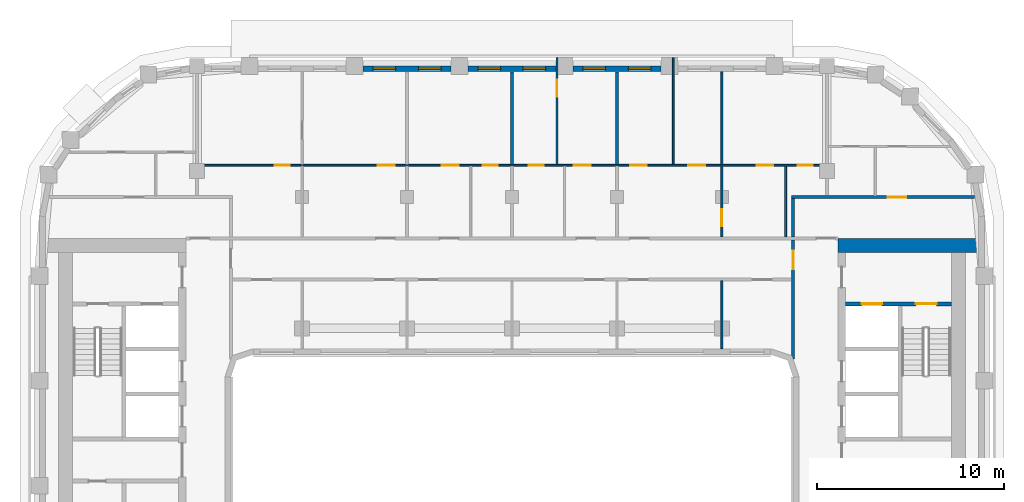
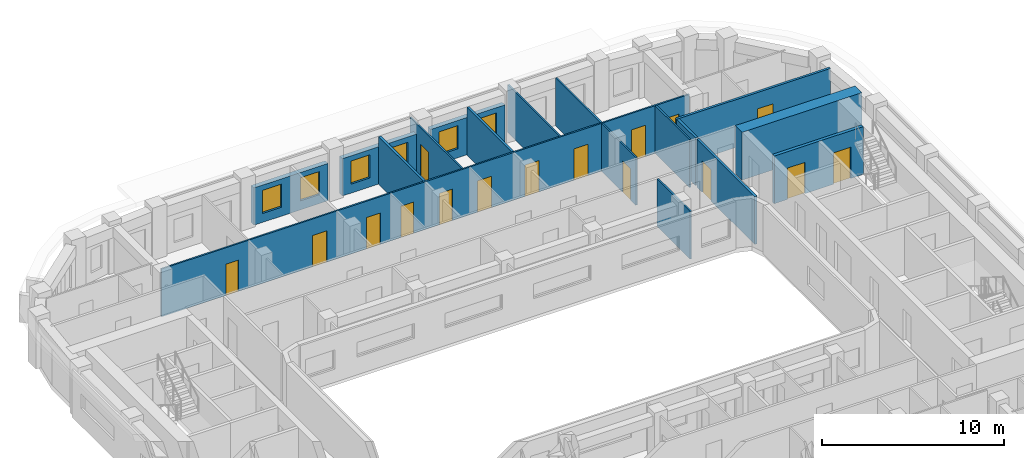
# One storey, part 8 of 21: 17 walls, 16 doors, 6 windows, 22 openings.
"""IFC4 building model written with IfcOpenShell, lengths in metres."""

from ifc_helpers import new_model, si_unit, direction, frame, frame_2d, origin, place, context, subcontext, project, spatial, rectangle, extrude, material, layer, layer_set, type_object, element, fill, save


model = new_model("IFC4")

# Units and contexts
model_context = context("Model", 3, precision=1e-05, world=origin(), true_north=direction((0.0, 1.0)))
body_context = subcontext(model_context, "Body", "Model", "MODEL_VIEW")
ifc_project = project(units=[si_unit("LENGTHUNIT", "METRE"), si_unit("AREAUNIT", "SQUARE_METRE"), si_unit("VOLUMEUNIT", "CUBIC_METRE"), si_unit("PLANEANGLEUNIT", "RADIAN"), si_unit("MASSUNIT", "GRAM", prefix="KILO")], contexts=[model_context])

# Site, building, storey
site_placement = place(None, origin())
site = spatial("IfcSite", under=ifc_project, at=site_placement, CompositionType="ELEMENT")
building_placement = place(site_placement, origin())
building = spatial("IfcBuilding", under=site, at=building_placement, Name="Kiln Ring Residences", CompositionType="ELEMENT")
storey_placement = place(building_placement, frame((0.0, 0.0, 192.39990234375)))
storey = spatial("IfcBuildingStorey", under=building, at=storey_placement, Name="L49", CompositionType="ELEMENT", Elevation=192.39990234375)

# Wall, openings, doors
ifc_material_1 = material(Name="Concrete C40/50", Category="concrete")
ifc_layer_1 = layer(ifc_material_1, 0.199951171875)
ifc_layer_set_1 = layer_set([ifc_layer_1], Name="CORE-WALL-RC200")
wall_type_1 = type_object("IfcWallType", Name="CORE-WALL-RC200", PredefinedType="SHEAR", material=ifc_layer_set_1)
wall_1_placement = place(storey_placement, frame((17.800048828125, 9.699951171875, 0.0), z_axis=(0.0, 0.0, 1.0), x_axis=(1.0, 0.0, 0.0)))
wall_1 = element("IfcWall", 1, at=wall_1_placement, inside=storey, type_object=wall_type_1, Name="Core wall east L49 9", PredefinedType="SHEAR", context=body_context, shape_type="SweptSolid", body=[
    extrude(rectangle(XDim=5.64990234375, YDim=0.199951171875, at=frame_2d((2.824951171875, 0.0))), origin(), (0.0, 0.0, 1.0), 3.2001953125),
])
opening_1_placement = place(wall_1_placement, frame((0.85009765625, 0.0, 0.0)))
opening_1 = element("IfcOpeningElement", 2, at=opening_1_placement, cuts=wall_1, Name="Opening L49-CE06", PredefinedType="OPENING", context=body_context, shape_type="SweptSolid", body=[
    extrude(rectangle(XDim=1.10009765625, YDim=2.10009765625, at=frame_2d((0.550048828125, 1.050048828125))), frame((0.0, 0.10986328125, 0.0), z_axis=(0.0, -1.0, 0.0), x_axis=(1.0, 0.0, 0.0)), (0.0, 0.0, 1.0), 0.219970703125),
])
opening_2_placement = place(wall_1_placement, frame((3.75, 0.0, 0.0)))
opening_2 = element("IfcOpeningElement", 3, at=opening_2_placement, cuts=wall_1, Name="Opening L49-CE09", PredefinedType="OPENING", context=body_context, shape_type="SweptSolid", body=[
    extrude(rectangle(XDim=1.10009765625, YDim=2.10009765625, at=frame_2d((0.550048828125, 1.050048828125))), frame((0.0, 0.10986328125, 0.0), z_axis=(0.0, -1.0, 0.0), x_axis=(1.0, 0.0, 0.0)), (0.0, 0.0, 1.0), 0.219970703125),
])
ifc_material_2 = material(Name="Steel door leaf", Category="steel")
door_type_1 = type_object("IfcDoorType", Name="CORE-DOOR-LD", OperationType="DOUBLE_DOOR_SLIDING", PredefinedType="DOOR", material=ifc_material_2)
door_1_placement = place(opening_1_placement, origin())
door_1 = element("IfcDoor", 4, at=door_1_placement, inside=storey, type_object=door_type_1, Name="LD E-FF L49-CE06", OperationType="DOUBLE_DOOR_SLIDING", OverallHeight=2.10009765625, OverallWidth=1.10009765625, PredefinedType="DOOR", context=body_context, shape_type="SweptSolid", body=[
    extrude(rectangle(XDim=1.10009765625, YDim=2.10009765625, at=frame_2d((0.550048828125, 1.050048828125))), frame((0.0, 0.02490234375, 0.0), z_axis=(0.0, -1.0, 0.0), x_axis=(1.0, 0.0, 0.0)), (0.0, 0.0, 1.0), 0.050048828125),
])
fill(opening_1, door_1)
ifc_material_3 = material(Name="Steel door leaf", Category="steel")
door_type_2 = type_object("IfcDoorType", Name="CORE-DOOR-STAIR", OperationType="SINGLE_SWING_LEFT", PredefinedType="DOOR", material=ifc_material_3)
door_2_placement = place(opening_2_placement, origin())
door_2 = element("IfcDoor", 5, at=door_2_placement, inside=storey, type_object=door_type_2, Name="Stair E-STN L49-CE09", OperationType="SINGLE_SWING_RIGHT", OverallHeight=2.10009765625, OverallWidth=1.10009765625, PredefinedType="DOOR", context=body_context, shape_type="SweptSolid", body=[
    extrude(rectangle(XDim=1.10009765625, YDim=2.10009765625, at=frame_2d((0.550048828125, 1.050048828125))), frame((0.0, 0.02490234375, 0.0), z_axis=(0.0, -1.0, 0.0), x_axis=(1.0, 0.0, 0.0)), (0.0, 0.0, 1.0), 0.050048828125),
])
fill(opening_2, door_2)

# Wall
ifc_material_4 = material(Name="Concrete C60/75", Category="concrete")
ifc_layer_2 = layer(ifc_material_4, 0.75)
ifc_layer_set_2 = layer_set([ifc_layer_2], Name="CORE-WALL-RC750")
wall_type_2 = type_object("IfcWallType", Name="CORE-WALL-RC750", PredefinedType="SHEAR", material=ifc_layer_set_2)
wall_2_placement = place(storey_placement, frame((17.39990234375, 12.824951171875, 0.0), z_axis=(0.0, 0.0, 1.0), x_axis=(1.0, 0.0, 0.0)))
element("IfcWall", 6, at=wall_2_placement, inside=storey, type_object=wall_type_2, Name="Core wall east L49 4", PredefinedType="SHEAR", context=body_context, shape_type="SweptSolid", body=[
    extrude(rectangle(XDim=7.60009765625, YDim=0.75, at=frame_2d((3.800048828125, 0.0))), origin(), (0.0, 0.0, 1.0), 3.2001953125),
])

# Wall, openings, windows
ifc_material_5 = material(Name="Brick masonry, dark clay brick", Category="masonry")
ifc_layer_3 = layer(ifc_material_5, 0.300048828125)
ifc_layer_set_3 = layer_set([ifc_layer_3], Name="EW-300 BRICK WALL")
wall_type_3 = type_object("IfcWallType", Name="EW-300 BRICK WALL", PredefinedType="SOLIDWALL", material=ifc_layer_set_3)
wall_3_placement = place(storey_placement, frame((7.949951171875, 22.25, 0.0), z_axis=(0.0, 0.0, 1.0), x_axis=(-1.0, 0.0, 0.0)))
wall_3 = element("IfcWall", 7, at=wall_3_placement, inside=storey, type_object=wall_type_3, Name="Facade wall L49 29", PredefinedType="SOLIDWALL", context=body_context, shape_type="SweptSolid", body=[
    extrude(rectangle(XDim=4.699951171875, YDim=0.300048828125, at=frame_2d((2.35009765625, 0.0))), origin(), (0.0, 0.0, 1.0), 2.5),
])
opening_3_placement = place(wall_3_placement, frame((0.53759765625, 0.0, 0.60009765625)))
opening_3 = element("IfcOpeningElement", 8, at=opening_3_placement, cuts=wall_3, Name="Opening W1", PredefinedType="OPENING", context=body_context, shape_type="SweptSolid", body=[
    extrude(rectangle(XDim=1.199951171875, YDim=1.550048828125, at=frame_2d((0.60009765625, 0.77490234375))), frame((0.0, 0.159912109375, 0.0), z_axis=(0.0, -1.0, 0.0), x_axis=(1.0, 0.0, 0.0)), (0.0, 0.0, 1.0), 0.320068359375),
])
opening_4_placement = place(wall_3_placement, frame((2.96240234375, 0.0, 0.60009765625)))
opening_4 = element("IfcOpeningElement", 9, at=opening_4_placement, cuts=wall_3, Name="Opening W1", PredefinedType="OPENING", context=body_context, shape_type="SweptSolid", body=[
    extrude(rectangle(XDim=1.199951171875, YDim=1.550048828125, at=frame_2d((0.60009765625, 0.77490234375))), frame((0.0, 0.159912109375, 0.0), z_axis=(0.0, -1.0, 0.0), x_axis=(1.0, 0.0, 0.0)), (0.0, 0.0, 1.0), 0.320068359375),
])
ifc_material_6 = material(Name="Aluminium frame with double glazing", Category="aluminium")
window_type = type_object("IfcWindowType", Name="WINDOW 1200 x 1550", PartitioningType="SINGLE_PANEL", PredefinedType="WINDOW", material=ifc_material_6)
window_1_placement = place(opening_3_placement, origin())
window_1 = element("IfcWindow", 10, at=window_1_placement, inside=storey, type_object=window_type, Name="Window L49 23", OverallHeight=1.550048828125, OverallWidth=1.199951171875, PartitioningType="SINGLE_PANEL", PredefinedType="WINDOW", context=body_context, shape_type="SweptSolid", body=[
    extrude(rectangle(XDim=1.199951171875, YDim=1.550048828125, at=frame_2d((0.60009765625, 0.77490234375))), frame((0.0, 0.030029296875, 0.0), z_axis=(0.0, -1.0, 0.0), x_axis=(1.0, 0.0, 0.0)), (0.0, 0.0, 1.0), 0.06005859375),
])
fill(opening_3, window_1)
window_2_placement = place(opening_4_placement, origin())
window_2 = element("IfcWindow", 11, at=window_2_placement, inside=storey, type_object=window_type, Name="Window L49 24", OverallHeight=1.550048828125, OverallWidth=1.199951171875, PartitioningType="SINGLE_PANEL", PredefinedType="WINDOW", context=body_context, shape_type="SweptSolid", body=[
    extrude(rectangle(XDim=1.199951171875, YDim=1.550048828125, at=frame_2d((0.60009765625, 0.77490234375))), frame((0.0, 0.030029296875, 0.0), z_axis=(0.0, -1.0, 0.0), x_axis=(1.0, 0.0, 0.0)), (0.0, 0.0, 1.0), 0.06005859375),
])
fill(opening_4, window_2)

wall_4_placement = place(storey_placement, frame((2.35009765625, 22.25, 0.0), z_axis=(0.0, 0.0, 1.0), x_axis=(-1.0, 0.0, 0.0)))
wall_4 = element("IfcWall", 12, at=wall_4_placement, inside=storey, type_object=wall_type_3, Name="Facade wall L49 30", PredefinedType="SOLIDWALL", context=body_context, shape_type="SweptSolid", body=[
    extrude(rectangle(XDim=4.7001953125, YDim=0.300048828125, at=frame_2d((2.35009765625, 0.0))), origin(), (0.0, 0.0, 1.0), 2.5),
])
opening_5_placement = place(wall_4_placement, frame((0.550048828125, 0.0, 0.60009765625)))
opening_5 = element("IfcOpeningElement", 13, at=opening_5_placement, cuts=wall_4, Name="Opening W1", PredefinedType="OPENING", context=body_context, shape_type="SweptSolid", body=[
    extrude(rectangle(XDim=1.199951171875, YDim=1.550048828125, at=frame_2d((0.60009765625, 0.77490234375))), frame((0.0, 0.159912109375, 0.0), z_axis=(0.0, -1.0, 0.0), x_axis=(1.0, 0.0, 0.0)), (0.0, 0.0, 1.0), 0.320068359375),
])
opening_6_placement = place(wall_4_placement, frame((2.96240234375, 0.0, 0.60009765625)))
opening_6 = element("IfcOpeningElement", 14, at=opening_6_placement, cuts=wall_4, Name="Opening W1", PredefinedType="OPENING", context=body_context, shape_type="SweptSolid", body=[
    extrude(rectangle(XDim=1.199951171875, YDim=1.550048828125, at=frame_2d((0.60009765625, 0.77490234375))), frame((0.0, 0.159912109375, 0.0), z_axis=(0.0, -1.0, 0.0), x_axis=(1.0, 0.0, 0.0)), (0.0, 0.0, 1.0), 0.320068359375),
])
window_3_placement = place(opening_5_placement, origin())
window_3 = element("IfcWindow", 15, at=window_3_placement, inside=storey, type_object=window_type, Name="Window L49 25", OverallHeight=1.550048828125, OverallWidth=1.199951171875, PartitioningType="SINGLE_PANEL", PredefinedType="WINDOW", context=body_context, shape_type="SweptSolid", body=[
    extrude(rectangle(XDim=1.199951171875, YDim=1.550048828125, at=frame_2d((0.60009765625, 0.77490234375))), frame((0.0, 0.030029296875, 0.0), z_axis=(0.0, -1.0, 0.0), x_axis=(1.0, 0.0, 0.0)), (0.0, 0.0, 1.0), 0.06005859375),
])
fill(opening_5, window_3)
window_4_placement = place(opening_6_placement, origin())
window_4 = element("IfcWindow", 16, at=window_4_placement, inside=storey, type_object=window_type, Name="Window L49 26", OverallHeight=1.550048828125, OverallWidth=1.199951171875, PartitioningType="SINGLE_PANEL", PredefinedType="WINDOW", context=body_context, shape_type="SweptSolid", body=[
    extrude(rectangle(XDim=1.199951171875, YDim=1.550048828125, at=frame_2d((0.60009765625, 0.77490234375))), frame((0.0, 0.030029296875, 0.0), z_axis=(0.0, -1.0, 0.0), x_axis=(1.0, 0.0, 0.0)), (0.0, 0.0, 1.0), 0.06005859375),
])
fill(opening_6, window_4)

wall_5_placement = place(storey_placement, frame((-3.25, 22.25, 0.0), z_axis=(0.0, 0.0, 1.0), x_axis=(-1.0, 0.0, 0.0)))
wall_5 = element("IfcWall", 17, at=wall_5_placement, inside=storey, type_object=wall_type_3, Name="Facade wall L49 31", PredefinedType="SOLIDWALL", context=body_context, shape_type="SweptSolid", body=[
    extrude(rectangle(XDim=4.699951171875, YDim=0.300048828125, at=frame_2d((2.35009765625, 0.0))), origin(), (0.0, 0.0, 1.0), 2.5),
])
opening_7_placement = place(wall_5_placement, frame((0.53759765625, 0.0, 0.60009765625)))
opening_7 = element("IfcOpeningElement", 18, at=opening_7_placement, cuts=wall_5, Name="Opening W1", PredefinedType="OPENING", context=body_context, shape_type="SweptSolid", body=[
    extrude(rectangle(XDim=1.199951171875, YDim=1.550048828125, at=frame_2d((0.60009765625, 0.77490234375))), frame((0.0, 0.159912109375, 0.0), z_axis=(0.0, -1.0, 0.0), x_axis=(1.0, 0.0, 0.0)), (0.0, 0.0, 1.0), 0.320068359375),
])
opening_8_placement = place(wall_5_placement, frame((2.96240234375, 0.0, 0.60009765625)))
opening_8 = element("IfcOpeningElement", 19, at=opening_8_placement, cuts=wall_5, Name="Opening W1", PredefinedType="OPENING", context=body_context, shape_type="SweptSolid", body=[
    extrude(rectangle(XDim=1.199951171875, YDim=1.550048828125, at=frame_2d((0.60009765625, 0.77490234375))), frame((0.0, 0.159912109375, 0.0), z_axis=(0.0, -1.0, 0.0), x_axis=(1.0, 0.0, 0.0)), (0.0, 0.0, 1.0), 0.320068359375),
])
window_5_placement = place(opening_7_placement, origin())
window_5 = element("IfcWindow", 20, at=window_5_placement, inside=storey, type_object=window_type, Name="Window L49 27", OverallHeight=1.550048828125, OverallWidth=1.199951171875, PartitioningType="SINGLE_PANEL", PredefinedType="WINDOW", context=body_context, shape_type="SweptSolid", body=[
    extrude(rectangle(XDim=1.199951171875, YDim=1.550048828125, at=frame_2d((0.60009765625, 0.77490234375))), frame((0.0, 0.030029296875, 0.0), z_axis=(0.0, -1.0, 0.0), x_axis=(1.0, 0.0, 0.0)), (0.0, 0.0, 1.0), 0.06005859375),
])
fill(opening_7, window_5)
window_6_placement = place(opening_8_placement, origin())
window_6 = element("IfcWindow", 21, at=window_6_placement, inside=storey, type_object=window_type, Name="Window L49 28", OverallHeight=1.550048828125, OverallWidth=1.199951171875, PartitioningType="SINGLE_PANEL", PredefinedType="WINDOW", context=body_context, shape_type="SweptSolid", body=[
    extrude(rectangle(XDim=1.199951171875, YDim=1.550048828125, at=frame_2d((0.60009765625, 0.77490234375))), frame((0.0, 0.030029296875, 0.0), z_axis=(0.0, -1.0, 0.0), x_axis=(1.0, 0.0, 0.0)), (0.0, 0.0, 1.0), 0.06005859375),
])
fill(opening_8, window_6)

# Wall, openings, doors
ifc_material_7 = material(Name="Gypsum board on steel studs", Category="steel")
ifc_layer_4 = layer(ifc_material_7, 0.10009765625)
ifc_layer_set_4 = layer_set([ifc_layer_4], Name="PARTITION-100")
wall_type_4 = type_object("IfcWallType", Name="PARTITION-100", PredefinedType="PARTITIONING", material=ifc_layer_set_4)
wall_6_placement = place(storey_placement, frame((-16.72509765625, 17.10009765625, 0.0), z_axis=(0.0, 0.0, 1.0), x_axis=(1.0, 0.0, 0.0)))
wall_6 = element("IfcWall", 22, at=wall_6_placement, inside=storey, type_object=wall_type_4, Name="Partition 011", PredefinedType="PARTITIONING", context=body_context, shape_type="SweptSolid", body=[
    extrude(rectangle(XDim=33.4501953125, YDim=0.10009765625, at=frame_2d((16.72509765625, 0.0))), origin(), (0.0, 0.0, 1.0), 3.2001953125),
])
opening_9_placement = place(wall_6_placement, frame((4.074951171875, 0.0, 0.0)))
opening_9 = element("IfcOpeningElement", 23, at=opening_9_placement, cuts=wall_6, Name="Opening L49-D016", PredefinedType="OPENING", context=body_context, shape_type="SweptSolid", body=[
    extrude(rectangle(XDim=0.800048828125, YDim=2.10009765625, at=frame_2d((0.39990234375, 1.050048828125))), frame((0.0, 0.06005859375, 0.0), z_axis=(0.0, -1.0, 0.0), x_axis=(1.0, 0.0, 0.0)), (0.0, 0.0, 1.0), 0.1201171875),
])
opening_10_placement = place(wall_6_placement, frame((9.574951171875, 0.0, 0.0)))
opening_10 = element("IfcOpeningElement", 24, at=opening_10_placement, cuts=wall_6, Name="Opening L49-D017", PredefinedType="OPENING", context=body_context, shape_type="SweptSolid", body=[
    extrude(rectangle(XDim=0.89990234375, YDim=2.10009765625, at=frame_2d((0.449951171875, 1.050048828125))), frame((0.0, 0.06005859375, 0.0), z_axis=(0.0, -1.0, 0.0), x_axis=(1.0, 0.0, 0.0)), (0.0, 0.0, 1.0), 0.1201171875),
])
opening_11_placement = place(wall_6_placement, frame((15.175048828125, 0.0, 0.0)))
opening_11 = element("IfcOpeningElement", 25, at=opening_11_placement, cuts=wall_6, Name="Opening L49-D020", PredefinedType="OPENING", context=body_context, shape_type="SweptSolid", body=[
    extrude(rectangle(XDim=0.800048828125, YDim=2.10009765625, at=frame_2d((0.39990234375, 1.050048828125))), frame((0.0, 0.06005859375, 0.0), z_axis=(0.0, -1.0, 0.0), x_axis=(1.0, 0.0, 0.0)), (0.0, 0.0, 1.0), 0.1201171875),
])
opening_12_placement = place(wall_6_placement, frame((12.97509765625, 0.0, 0.0)))
opening_12 = element("IfcOpeningElement", 26, at=opening_12_placement, cuts=wall_6, Name="Opening L49-D021", PredefinedType="OPENING", context=body_context, shape_type="SweptSolid", body=[
    extrude(rectangle(XDim=0.89990234375, YDim=2.10009765625, at=frame_2d((0.449951171875, 1.050048828125))), frame((0.0, 0.06005859375, 0.0), z_axis=(0.0, -1.0, 0.0), x_axis=(1.0, 0.0, 0.0)), (0.0, 0.0, 1.0), 0.1201171875),
])
opening_13_placement = place(wall_6_placement, frame((17.625, 0.0, 0.0)))
opening_13 = element("IfcOpeningElement", 27, at=opening_13_placement, cuts=wall_6, Name="Opening L49-D023", PredefinedType="OPENING", context=body_context, shape_type="SweptSolid", body=[
    extrude(rectangle(XDim=0.800048828125, YDim=2.10009765625, at=frame_2d((0.39990234375, 1.050048828125))), frame((0.0, 0.06005859375, 0.0), z_axis=(0.0, -1.0, 0.0), x_axis=(1.0, 0.0, 0.0)), (0.0, 0.0, 1.0), 0.1201171875),
])
opening_14_placement = place(wall_6_placement, frame((20.02490234375, 0.0, 0.0)))
opening_14 = element("IfcOpeningElement", 28, at=opening_14_placement, cuts=wall_6, Name="Opening L49-D024", PredefinedType="OPENING", context=body_context, shape_type="SweptSolid", body=[
    extrude(rectangle(XDim=0.89990234375, YDim=2.10009765625, at=frame_2d((0.449951171875, 1.050048828125))), frame((0.0, 0.06005859375, 0.0), z_axis=(0.0, -1.0, 0.0), x_axis=(1.0, 0.0, 0.0)), (0.0, 0.0, 1.0), 0.1201171875),
])
opening_15_placement = place(wall_6_placement, frame((31.97509765625, 0.0, 0.0)))
opening_15 = element("IfcOpeningElement", 29, at=opening_15_placement, cuts=wall_6, Name="Opening L49-D028", PredefinedType="OPENING", context=body_context, shape_type="SweptSolid", body=[
    extrude(rectangle(XDim=0.800048828125, YDim=2.10009765625, at=frame_2d((0.39990234375, 1.050048828125))), frame((0.0, 0.06005859375, 0.0), z_axis=(0.0, -1.0, 0.0), x_axis=(1.0, 0.0, 0.0)), (0.0, 0.0, 1.0), 0.1201171875),
])
opening_16_placement = place(wall_6_placement, frame((29.77490234375, 0.0, 0.0)))
opening_16 = element("IfcOpeningElement", 30, at=opening_16_placement, cuts=wall_6, Name="Opening L49-D029", PredefinedType="OPENING", context=body_context, shape_type="SweptSolid", body=[
    extrude(rectangle(XDim=0.89990234375, YDim=2.10009765625, at=frame_2d((0.449951171875, 1.050048828125))), frame((0.0, 0.06005859375, 0.0), z_axis=(0.0, -1.0, 0.0), x_axis=(1.0, 0.0, 0.0)), (0.0, 0.0, 1.0), 0.1201171875),
])
opening_17_placement = place(wall_6_placement, frame((23.02490234375, 0.0, 0.0)))
opening_17 = element("IfcOpeningElement", 31, at=opening_17_placement, cuts=wall_6, Name="Opening L49-D030", PredefinedType="OPENING", context=body_context, shape_type="SweptSolid", body=[
    extrude(rectangle(XDim=0.89990234375, YDim=2.10009765625, at=frame_2d((0.449951171875, 1.050048828125))), frame((0.0, 0.06005859375, 0.0), z_axis=(0.0, -1.0, 0.0), x_axis=(1.0, 0.0, 0.0)), (0.0, 0.0, 1.0), 0.1201171875),
])
opening_18_placement = place(wall_6_placement, frame((26.125, 0.0, 0.0)))
opening_18 = element("IfcOpeningElement", 32, at=opening_18_placement, cuts=wall_6, Name="Opening L49-D031", PredefinedType="OPENING", context=body_context, shape_type="SweptSolid", body=[
    extrude(rectangle(XDim=0.89990234375, YDim=2.10009765625, at=frame_2d((0.449951171875, 1.050048828125))), frame((0.0, 0.06005859375, 0.0), z_axis=(0.0, -1.0, 0.0), x_axis=(1.0, 0.0, 0.0)), (0.0, 0.0, 1.0), 0.1201171875),
])
ifc_material_8 = material(Name="Timber door leaf", Category="wood")
door_type_3 = type_object("IfcDoorType", Name="FLAT-DOOR-800-PL", OperationType="SINGLE_SWING_LEFT", PredefinedType="DOOR", material=ifc_material_8)
door_3_placement = place(opening_9_placement, origin())
door_3 = element("IfcDoor", 33, at=door_3_placement, inside=storey, type_object=door_type_3, Name="Door L49-D016", OperationType="SINGLE_SWING_RIGHT", OverallHeight=2.10009765625, OverallWidth=0.800048828125, PredefinedType="DOOR", context=body_context, shape_type="SweptSolid", body=[
    extrude(rectangle(XDim=0.800048828125, YDim=2.10009765625, at=frame_2d((0.39990234375, 1.050048828125))), frame((0.0, 0.02490234375, 0.0), z_axis=(0.0, -1.0, 0.0), x_axis=(1.0, 0.0, 0.0)), (0.0, 0.0, 1.0), 0.050048828125),
])
fill(opening_9, door_3)
door_4_placement = place(opening_11_placement, origin())
door_4 = element("IfcDoor", 34, at=door_4_placement, inside=storey, type_object=door_type_3, Name="Door L49-D020", OperationType="SINGLE_SWING_RIGHT", OverallHeight=2.10009765625, OverallWidth=0.800048828125, PredefinedType="DOOR", context=body_context, shape_type="SweptSolid", body=[
    extrude(rectangle(XDim=0.800048828125, YDim=2.10009765625, at=frame_2d((0.39990234375, 1.050048828125))), frame((0.0, 0.02490234375, 0.0), z_axis=(0.0, -1.0, 0.0), x_axis=(1.0, 0.0, 0.0)), (0.0, 0.0, 1.0), 0.050048828125),
])
fill(opening_11, door_4)
door_5_placement = place(opening_13_placement, origin())
door_5 = element("IfcDoor", 35, at=door_5_placement, inside=storey, type_object=door_type_3, Name="Door L49-D023", OperationType="SINGLE_SWING_LEFT", OverallHeight=2.10009765625, OverallWidth=0.800048828125, PredefinedType="DOOR", context=body_context, shape_type="SweptSolid", body=[
    extrude(rectangle(XDim=0.800048828125, YDim=2.10009765625, at=frame_2d((0.39990234375, 1.050048828125))), frame((0.0, 0.02490234375, 0.0), z_axis=(0.0, -1.0, 0.0), x_axis=(1.0, 0.0, 0.0)), (0.0, 0.0, 1.0), 0.050048828125),
])
fill(opening_13, door_5)
door_6_placement = place(opening_15_placement, origin())
door_6 = element("IfcDoor", 36, at=door_6_placement, inside=storey, type_object=door_type_3, Name="Door L49-D028", OperationType="SINGLE_SWING_RIGHT", OverallHeight=2.10009765625, OverallWidth=0.800048828125, PredefinedType="DOOR", context=body_context, shape_type="SweptSolid", body=[
    extrude(rectangle(XDim=0.800048828125, YDim=2.10009765625, at=frame_2d((0.39990234375, 1.050048828125))), frame((0.0, 0.02490234375, 0.0), z_axis=(0.0, -1.0, 0.0), x_axis=(1.0, 0.0, 0.0)), (0.0, 0.0, 1.0), 0.050048828125),
])
fill(opening_15, door_6)
ifc_material_9 = material(Name="Timber door leaf", Category="wood")
door_type_4 = type_object("IfcDoorType", Name="FLAT-DOOR-900-PL", OperationType="SINGLE_SWING_LEFT", PredefinedType="DOOR", material=ifc_material_9)
door_7_placement = place(opening_10_placement, origin())
door_7 = element("IfcDoor", 37, at=door_7_placement, inside=storey, type_object=door_type_4, Name="Door L49-D017", OperationType="SINGLE_SWING_LEFT", OverallHeight=2.10009765625, OverallWidth=0.89990234375, PredefinedType="DOOR", context=body_context, shape_type="SweptSolid", body=[
    extrude(rectangle(XDim=0.89990234375, YDim=2.10009765625, at=frame_2d((0.449951171875, 1.050048828125))), frame((0.0, 0.02490234375, 0.0), z_axis=(0.0, -1.0, 0.0), x_axis=(1.0, 0.0, 0.0)), (0.0, 0.0, 1.0), 0.050048828125),
])
fill(opening_10, door_7)
door_8_placement = place(opening_12_placement, origin())
door_8 = element("IfcDoor", 38, at=door_8_placement, inside=storey, type_object=door_type_4, Name="Door L49-D021", OperationType="SINGLE_SWING_LEFT", OverallHeight=2.10009765625, OverallWidth=0.89990234375, PredefinedType="DOOR", context=body_context, shape_type="SweptSolid", body=[
    extrude(rectangle(XDim=0.89990234375, YDim=2.10009765625, at=frame_2d((0.449951171875, 1.050048828125))), frame((0.0, 0.02490234375, 0.0), z_axis=(0.0, -1.0, 0.0), x_axis=(1.0, 0.0, 0.0)), (0.0, 0.0, 1.0), 0.050048828125),
])
fill(opening_12, door_8)
door_9_placement = place(opening_14_placement, origin())
door_9 = element("IfcDoor", 39, at=door_9_placement, inside=storey, type_object=door_type_4, Name="Door L49-D024", OperationType="SINGLE_SWING_RIGHT", OverallHeight=2.10009765625, OverallWidth=0.89990234375, PredefinedType="DOOR", context=body_context, shape_type="SweptSolid", body=[
    extrude(rectangle(XDim=0.89990234375, YDim=2.10009765625, at=frame_2d((0.449951171875, 1.050048828125))), frame((0.0, 0.02490234375, 0.0), z_axis=(0.0, -1.0, 0.0), x_axis=(1.0, 0.0, 0.0)), (0.0, 0.0, 1.0), 0.050048828125),
])
fill(opening_14, door_9)
door_10_placement = place(opening_16_placement, origin())
door_10 = element("IfcDoor", 40, at=door_10_placement, inside=storey, type_object=door_type_4, Name="Door L49-D029", OperationType="SINGLE_SWING_LEFT", OverallHeight=2.10009765625, OverallWidth=0.89990234375, PredefinedType="DOOR", context=body_context, shape_type="SweptSolid", body=[
    extrude(rectangle(XDim=0.89990234375, YDim=2.10009765625, at=frame_2d((0.449951171875, 1.050048828125))), frame((0.0, 0.02490234375, 0.0), z_axis=(0.0, -1.0, 0.0), x_axis=(1.0, 0.0, 0.0)), (0.0, 0.0, 1.0), 0.050048828125),
])
fill(opening_16, door_10)
door_11_placement = place(opening_17_placement, origin())
door_11 = element("IfcDoor", 41, at=door_11_placement, inside=storey, type_object=door_type_4, Name="Door L49-D030", OperationType="SINGLE_SWING_RIGHT", OverallHeight=2.10009765625, OverallWidth=0.89990234375, PredefinedType="DOOR", context=body_context, shape_type="SweptSolid", body=[
    extrude(rectangle(XDim=0.89990234375, YDim=2.10009765625, at=frame_2d((0.449951171875, 1.050048828125))), frame((0.0, 0.02490234375, 0.0), z_axis=(0.0, -1.0, 0.0), x_axis=(1.0, 0.0, 0.0)), (0.0, 0.0, 1.0), 0.050048828125),
])
fill(opening_17, door_11)
door_12_placement = place(opening_18_placement, origin())
door_12 = element("IfcDoor", 42, at=door_12_placement, inside=storey, type_object=door_type_4, Name="Door L49-D031", OperationType="SINGLE_SWING_LEFT", OverallHeight=2.10009765625, OverallWidth=0.89990234375, PredefinedType="DOOR", context=body_context, shape_type="SweptSolid", body=[
    extrude(rectangle(XDim=0.89990234375, YDim=2.10009765625, at=frame_2d((0.449951171875, 1.050048828125))), frame((0.0, 0.02490234375, 0.0), z_axis=(0.0, -1.0, 0.0), x_axis=(1.0, 0.0, 0.0)), (0.0, 0.0, 1.0), 0.050048828125),
])
fill(opening_18, door_12)

# Wall, opening, door
wall_7_placement = place(storey_placement, frame((2.39990234375, 17.14990234375, 0.0), z_axis=(0.0, 0.0, 1.0), x_axis=(0.0, 1.0, 0.0)))
wall_7 = element("IfcWall", 43, at=wall_7_placement, inside=storey, type_object=wall_type_4, Name="Partition 044", PredefinedType="PARTITIONING", context=body_context, shape_type="SweptSolid", body=[
    extrude(rectangle(XDim=5.68017578125, YDim=0.10009765625, at=frame_2d((2.840087890625, 0.0))), origin(), (0.0, 0.0, 1.0), 3.2001953125),
])
opening_19_placement = place(wall_7_placement, frame((3.610107421875, 0.0, 0.0)))
opening_19 = element("IfcOpeningElement", 44, at=opening_19_placement, cuts=wall_7, Name="Opening L49-D025", PredefinedType="OPENING", context=body_context, shape_type="SweptSolid", body=[
    extrude(rectangle(XDim=0.89990234375, YDim=2.10009765625, at=frame_2d((0.449951171875, 1.050048828125))), frame((0.0, 0.06005859375, 0.0), z_axis=(0.0, -1.0, 0.0), x_axis=(1.0, 0.0, 0.0)), (0.0, 0.0, 1.0), 0.1201171875),
])
door_13_placement = place(opening_19_placement, origin())
door_13 = element("IfcDoor", 45, at=door_13_placement, inside=storey, type_object=door_type_4, Name="Door L49-D025", OperationType="SINGLE_SWING_LEFT", OverallHeight=2.10009765625, OverallWidth=0.89990234375, PredefinedType="DOOR", context=body_context, shape_type="SweptSolid", body=[
    extrude(rectangle(XDim=0.89990234375, YDim=2.10009765625, at=frame_2d((0.449951171875, 1.050048828125))), frame((0.0, 0.02490234375, 0.0), z_axis=(0.0, -1.0, 0.0), x_axis=(1.0, 0.0, 0.0)), (0.0, 0.0, 1.0), 0.050048828125),
])
fill(opening_19, door_13)

# Walls
wall_8_placement = place(storey_placement, frame((8.60009765625, 17.14990234375, 0.0), z_axis=(0.0, 0.0, 1.0), x_axis=(0.0, 1.0, 0.0)))
element("IfcWall", 46, at=wall_8_placement, inside=storey, type_object=wall_type_4, Name="Partition 054", PredefinedType="PARTITIONING", context=body_context, shape_type="SweptSolid", body=[
    extrude(rectangle(XDim=5.68017578125, YDim=0.10009765625, at=frame_2d((2.840087890625, 0.0))), origin(), (0.0, 0.0, 1.0), 3.2001953125),
])
wall_9_placement = place(storey_placement, frame((11.199951171875, 7.320068359375, 0.0), z_axis=(0.0, 0.0, 1.0), x_axis=(0.0, 1.0, 0.0)))
element("IfcWall", 47, at=wall_9_placement, inside=storey, type_object=wall_type_4, Name="Partition 056", PredefinedType="PARTITIONING", context=body_context, shape_type="SweptSolid", body=[
    extrude(rectangle(XDim=3.60498046875, YDim=0.10009765625, at=frame_2d((1.802490234375, 0.0))), origin(), (0.0, 0.0, 1.0), 3.2001953125),
])

# Wall, opening, door
wall_10_placement = place(storey_placement, frame((11.199951171875, 13.27490234375, 0.0), z_axis=(0.0, 0.0, 1.0), x_axis=(0.0, 1.0, 0.0)))
wall_10 = element("IfcWall", 48, at=wall_10_placement, inside=storey, type_object=wall_type_4, Name="Partition 057", PredefinedType="PARTITIONING", context=body_context, shape_type="SweptSolid", body=[
    extrude(rectangle(XDim=3.775146484375, YDim=0.10009765625, at=frame_2d((1.8876953125, 0.0))), origin(), (0.0, 0.0, 1.0), 3.2001953125),
])
opening_20_placement = place(wall_10_placement, frame((0.575927734375, 0.0, 0.0)))
opening_20 = element("IfcOpeningElement", 49, at=opening_20_placement, cuts=wall_10, Name="Opening L49-D027", PredefinedType="OPENING", context=body_context, shape_type="SweptSolid", body=[
    extrude(rectangle(XDim=0.89990234375, YDim=2.10009765625, at=frame_2d((0.449951171875, 1.050048828125))), frame((0.0, 0.06005859375, 0.0), z_axis=(0.0, -1.0, 0.0), x_axis=(1.0, 0.0, 0.0)), (0.0, 0.0, 1.0), 0.1201171875),
])
door_14_placement = place(opening_20_placement, origin())
door_14 = element("IfcDoor", 50, at=door_14_placement, inside=storey, type_object=door_type_4, Name="Door L49-D027", OperationType="SINGLE_SWING_LEFT", OverallHeight=2.10009765625, OverallWidth=0.89990234375, PredefinedType="DOOR", context=body_context, shape_type="SweptSolid", body=[
    extrude(rectangle(XDim=0.89990234375, YDim=2.10009765625, at=frame_2d((0.449951171875, 1.050048828125))), frame((0.0, 0.02490234375, 0.0), z_axis=(0.0, -1.0, 0.0), x_axis=(1.0, 0.0, 0.0)), (0.0, 0.0, 1.0), 0.050048828125),
])
fill(opening_20, door_14)

# Walls
wall_11_placement = place(storey_placement, frame((11.199951171875, 17.14990234375, 0.0), z_axis=(0.0, 0.0, 1.0), x_axis=(0.0, 1.0, 0.0)))
element("IfcWall", 51, at=wall_11_placement, inside=storey, type_object=wall_type_4, Name="Partition 058", PredefinedType="PARTITIONING", context=body_context, shape_type="SweptSolid", body=[
    extrude(rectangle(XDim=4.93017578125, YDim=0.10009765625, at=frame_2d((2.465087890625, 0.0))), origin(), (0.0, 0.0, 1.0), 3.2001953125),
])
wall_12_placement = place(storey_placement, frame((14.60009765625, 13.27490234375, 0.0), z_axis=(0.0, 0.0, 1.0), x_axis=(0.0, 1.0, 0.0)))
element("IfcWall", 52, at=wall_12_placement, inside=storey, type_object=wall_type_4, Name="Partition 063", PredefinedType="PARTITIONING", context=body_context, shape_type="SweptSolid", body=[
    extrude(rectangle(XDim=3.775146484375, YDim=0.10009765625, at=frame_2d((1.8876953125, 0.0))), origin(), (0.0, 0.0, 1.0), 3.2001953125),
])

# Wall, opening, door
ifc_material_10 = material(Name="Brick masonry partition", Category="masonry")
ifc_layer_5 = layer(ifc_material_10, 0.14990234375)
ifc_layer_set_5 = layer_set([ifc_layer_5], Name="PARTITION-150-ei60")
wall_type_5 = type_object("IfcWallType", Name="PARTITION-150-ei60", PredefinedType="PARTITIONING", material=ifc_layer_set_5)
wall_13_placement = place(storey_placement, frame((14.925048828125, 15.39990234375, 0.0), z_axis=(0.0, 0.0, 1.0), x_axis=(1.0, 0.0, 0.0)))
wall_13 = element("IfcWall", 53, at=wall_13_placement, inside=storey, type_object=wall_type_5, Name="Partition 010", PredefinedType="PARTITIONING", context=body_context, shape_type="SweptSolid", body=[
    extrude(rectangle(XDim=9.7587890625, YDim=0.14990234375, at=frame_2d((4.87939453125, 0.0))), origin(), (0.0, 0.0, 1.0), 3.2001953125),
])
opening_21_placement = place(wall_13_placement, frame((5.115966796875, 0.0, 0.0)))
opening_21 = element("IfcOpeningElement", 54, at=opening_21_placement, cuts=wall_13, Name="Opening L49-D032", PredefinedType="OPENING", context=body_context, shape_type="SweptSolid", body=[
    extrude(rectangle(XDim=1.0, YDim=2.10009765625, at=frame_2d((0.5, 1.050048828125))), frame((0.0, 0.0849609375, 0.0), z_axis=(0.0, -1.0, 0.0), x_axis=(1.0, 0.0, 0.0)), (0.0, 0.0, 1.0), 0.169921875),
])
ifc_material_11 = material(Name="Steel faced fire door leaf", Category="steel")
door_type_5 = type_object("IfcDoorType", Name="FLAT-DOOR-1000-FR", OperationType="SINGLE_SWING_LEFT", PredefinedType="DOOR", material=ifc_material_11)
door_15_placement = place(opening_21_placement, origin())
door_15 = element("IfcDoor", 55, at=door_15_placement, inside=storey, type_object=door_type_5, Name="Door L49-D032", OperationType="SINGLE_SWING_RIGHT", OverallHeight=2.10009765625, OverallWidth=1.0, PredefinedType="DOOR", context=body_context, shape_type="SweptSolid", body=[
    extrude(rectangle(XDim=1.0, YDim=2.10009765625, at=frame_2d((0.5, 1.050048828125))), frame((0.0, 0.02490234375, 0.0), z_axis=(0.0, -1.0, 0.0), x_axis=(1.0, 0.0, 0.0)), (0.0, 0.0, 1.0), 0.050048828125),
])
fill(opening_21, door_15)

# Walls
for number, where, z_axis, x_axis, name in (
    (56, (0.0, 17.14990234375, 0.0), (0.0, 0.0, 1.0), (0.0, 1.0, 0.0), "Partition 043"),
    (57, (5.60009765625, 17.14990234375, 0.0), (0.0, 0.0, 1.0), (0.0, 1.0, 0.0), "Partition 052"),
):
    element("IfcWall", number, at=place(storey_placement, frame(where, z_axis=z_axis, x_axis=x_axis)), inside=storey, type_object=wall_type_5, Name=name, PredefinedType="PARTITIONING", context=body_context, shape_type="SweptSolid", body=[
        extrude(rectangle(XDim=4.93017578125, YDim=0.14990234375, at=frame_2d((2.465087890625, 0.0))), origin(), (0.0, 0.0, 1.0), 3.2001953125),
    ])

# Wall, opening, door
wall_14_placement = place(storey_placement, frame((15.0, 6.768798828125, 0.0), z_axis=(0.0, 0.0, 1.0), x_axis=(0.0, 1.0, 0.0)))
wall_14 = element("IfcWall", 58, at=wall_14_placement, inside=storey, type_object=wall_type_5, Name="Partition 066", PredefinedType="PARTITIONING", context=body_context, shape_type="SweptSolid", body=[
    extrude(rectangle(XDim=6.356201171875, YDim=0.14990234375, at=frame_2d((3.17822265625, 0.0))), origin(), (0.0, 0.0, 1.0), 3.2001953125),
])
opening_22_placement = place(wall_14_placement, frame((4.78125, 0.0, 0.0)))
opening_22 = element("IfcOpeningElement", 59, at=opening_22_placement, cuts=wall_14, Name="Opening L49-D002", PredefinedType="OPENING", context=body_context, shape_type="SweptSolid", body=[
    extrude(rectangle(XDim=1.0, YDim=2.10009765625, at=frame_2d((0.5, 1.050048828125))), frame((0.0, 0.0849609375, 0.0), z_axis=(0.0, -1.0, 0.0), x_axis=(1.0, 0.0, 0.0)), (0.0, 0.0, 1.0), 0.169921875),
])
door_16_placement = place(opening_22_placement, origin())
door_16 = element("IfcDoor", 60, at=door_16_placement, inside=storey, type_object=door_type_5, Name="Door L49-D002", OperationType="SINGLE_SWING_LEFT", OverallHeight=2.10009765625, OverallWidth=1.0, PredefinedType="DOOR", context=body_context, shape_type="SweptSolid", body=[
    extrude(rectangle(XDim=1.0, YDim=2.10009765625, at=frame_2d((0.5, 1.050048828125))), frame((0.0, 0.02490234375, 0.0), z_axis=(0.0, -1.0, 0.0), x_axis=(1.0, 0.0, 0.0)), (0.0, 0.0, 1.0), 0.050048828125),
])
fill(opening_22, door_16)

# Wall
wall_15_placement = place(storey_placement, frame((15.0, 13.27490234375, 0.0), z_axis=(0.0, 0.0, 1.0), x_axis=(0.0, 1.0, 0.0)))
element("IfcWall", 61, at=wall_15_placement, inside=storey, type_object=wall_type_5, Name="Partition 067", PredefinedType="PARTITIONING", context=body_context, shape_type="SweptSolid", body=[
    extrude(rectangle(XDim=2.050048828125, YDim=0.14990234375, at=frame_2d((1.02490234375, 0.0))), origin(), (0.0, 0.0, 1.0), 3.2001953125),
])

save(model, "model.ifc")
